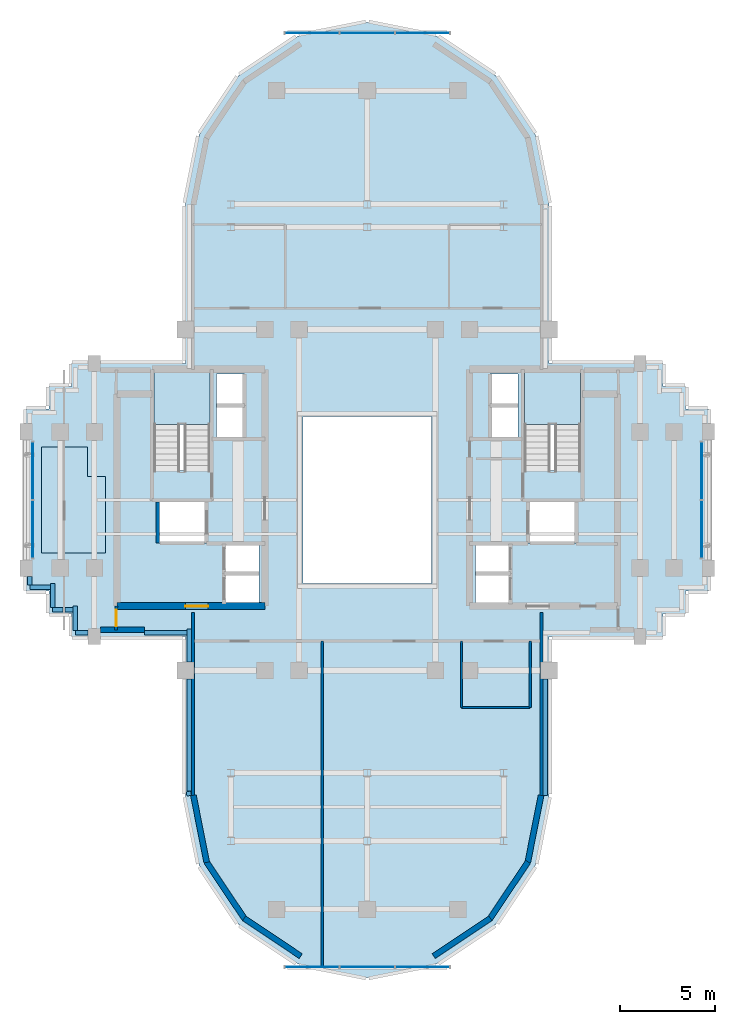
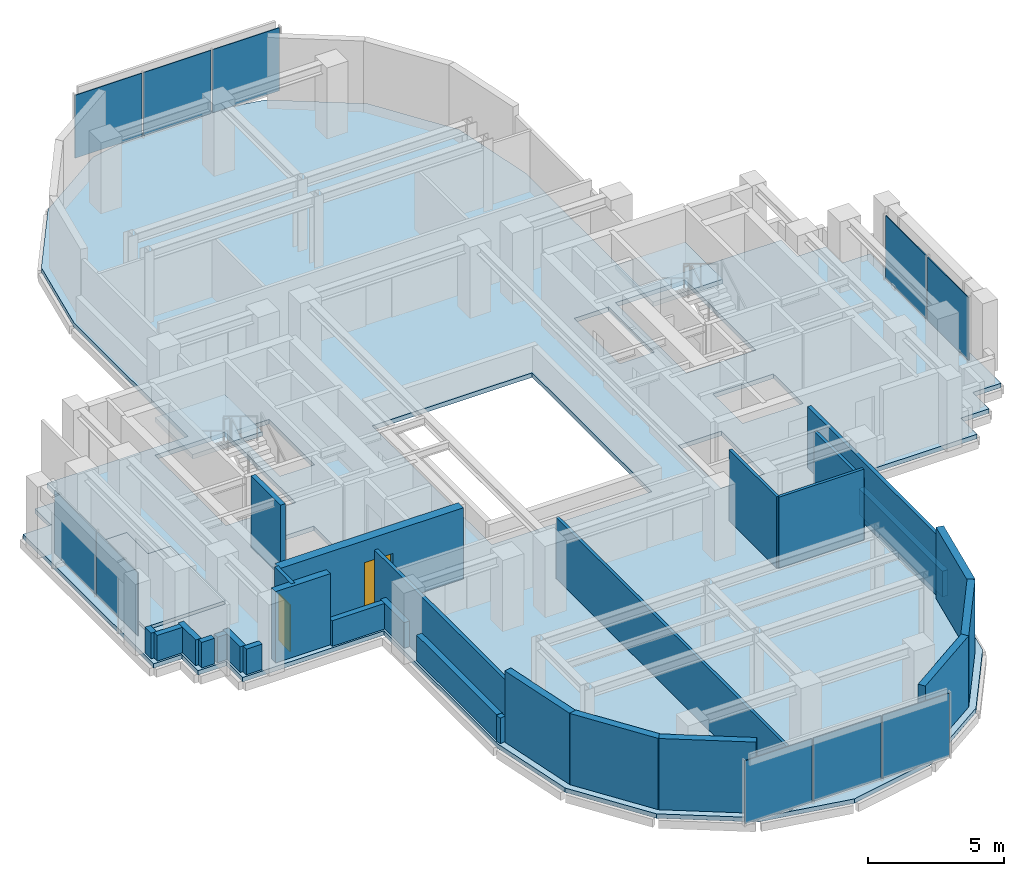
# One storey, part 5 of 11: 28 walls, 10 plates, 4 slabs, 2 doors, 2 openings, 6 elements without a shape of their own.
"""IFC4 building model written with IfcOpenShell, lengths in metres."""

from ifc_helpers import new_model, si_unit, direction, frame, frame_2d, origin, origin_2d, place, context, subcontext, project, spatial, polyline, rectangle, outline, extrude, source, transform, mapped, material, layer, layer_set, type_object, element, fill, aggregate, save


model = new_model("IFC4")

# Units and contexts
model_context = context("Model", 3, precision=1e-05, world=origin(), true_north=direction((0.0, 1.0)))
body_context = subcontext(model_context, "Body", "Model", "MODEL_VIEW")
ifc_project = project(units=[si_unit("LENGTHUNIT", "METRE"), si_unit("AREAUNIT", "SQUARE_METRE"), si_unit("VOLUMEUNIT", "CUBIC_METRE"), si_unit("PLANEANGLEUNIT", "RADIAN"), si_unit("MASSUNIT", "GRAM", prefix="KILO")], contexts=[model_context])

# Site, building, storey
site_placement = place(None, origin())
site = spatial("IfcSite", under=ifc_project, at=site_placement, CompositionType="ELEMENT")
building_placement = place(site_placement, origin())
building = spatial("IfcBuilding", under=site, at=building_placement, Name="Keilestroom Media Tower", CompositionType="ELEMENT")
storey_placement = place(building_placement, frame((0.0, 0.0, 170.60009765625)))
storey = spatial("IfcBuildingStorey", under=building, at=storey_placement, Name="L46", CompositionType="ELEMENT", Elevation=170.60009765625)

# Slabs
ifc_material_1 = material(Name="Concrete C50/60", Category="concrete")
ifc_layer_1 = layer(ifc_material_1, 0.199951171875)
ifc_layer_set_1 = layer_set([ifc_layer_1], Name="Concrete C50/60")
slab_type_1 = type_object("IfcSlabType", Name="Composite-Floor-Slab-200", PredefinedType="FLOOR", material=ifc_layer_set_1)
slab_1_placement = place(storey_placement, frame((0.0, 0.0, -0.2001953125)))
element("IfcSlab", 1, at=slab_1_placement, inside=storey, type_object=slab_type_1, Name="L46 Structural Composite Floor Slab", PredefinedType="FLOOR", context=body_context, shape_type="SweptSolid", body=[
    extrude(outline(polyline([(18.0, -4.800048828125), (18.0, 4.800048828125), (16.800048828125, 4.800048828125), (16.800048828125, 6.0), (15.60009765625, 6.0), (15.60009765625, 7.199951171875), (9.60009765625, 7.199951171875), (9.60009765625, 9.60009765625), (9.60009765625, 15.60009765625), (8.869140625, 19.273681640625), (6.7880859375, 22.38818359375), (3.673828125, 24.46923828125), (0.0, 25.199951171875), (-3.673828125, 24.46923828125), (-6.7880859375, 22.38818359375), (-8.869140625, 19.273681640625), (-9.60009765625, 15.60009765625), (-9.60009765625, 9.60009765625), (-9.60009765625, 7.199951171875), (-15.60009765625, 7.199951171875), (-15.60009765625, 6.0), (-16.800048828125, 6.0), (-16.800048828125, 4.800048828125), (-18.0, 4.800048828125), (-18.0, -4.800048828125), (-16.800048828125, -4.800048828125), (-16.800048828125, -6.0), (-15.60009765625, -6.0), (-15.60009765625, -7.199951171875), (-9.60009765625, -7.199951171875), (-9.60009765625, -9.60009765625), (-9.60009765625, -15.60009765625), (-8.869140625, -19.273681640625), (-6.7880859375, -22.38818359375), (-3.673828125, -24.46923828125), (0.0, -25.199951171875), (3.673828125, -24.46923828125), (6.7880859375, -22.38818359375), (8.869140625, -19.273681640625), (9.60009765625, -15.60009765625), (9.60009765625, -9.60009765625), (9.60009765625, -7.199951171875), (15.60009765625, -7.199951171875), (15.60009765625, -6.0), (16.800048828125, -6.0), (16.800048828125, -4.800048828125), (18.0, -4.800048828125)]), holes=[polyline([(-11.260009765625, 1.544921875), (-11.260009765625, 6.760009765625), (-8.300048828125, 6.760009765625), (-8.300048828125, 1.544921875), (-11.260009765625, 1.544921875)]), polyline([(-11.050048828125, -2.280029296875), (-11.050048828125, -0.10009765625), (-8.47998046875, -0.10009765625), (-8.47998046875, -2.280029296875), (-11.050048828125, -2.280029296875)]), polyline([(-7.949951171875, 3.300048828125), (-7.949951171875, 6.64990234375), (-6.47998046875, 6.64990234375), (-6.47998046875, 3.300048828125), (-7.949951171875, 3.300048828125)]), polyline([(-7.56005859375, -2.320068359375), (-5.719970703125, -2.320068359375), (-5.719970703125, -5.47998046875), (-7.56005859375, -5.47998046875), (-7.56005859375, -2.320068359375)]), polyline([(3.39990234375, -4.39990234375), (-3.39990234375, -4.39990234375), (-3.39990234375, 4.39990234375), (3.39990234375, 4.39990234375), (3.39990234375, -4.39990234375)]), polyline([(7.56005859375, -2.320068359375), (7.56005859375, -5.47998046875), (5.719970703125, -5.47998046875), (5.719970703125, -2.320068359375), (7.56005859375, -2.320068359375)]), polyline([(6.47998046875, 3.300048828125), (6.47998046875, 6.64990234375), (7.949951171875, 6.64990234375), (7.949951171875, 3.300048828125), (6.47998046875, 3.300048828125)]), polyline([(8.300048828125, 1.544921875), (8.300048828125, 6.760009765625), (11.260009765625, 6.760009765625), (11.260009765625, 1.544921875), (8.300048828125, 1.544921875)]), polyline([(8.47998046875, -2.280029296875), (8.47998046875, -0.10009765625), (11.050048828125, -0.10009765625), (11.050048828125, -2.280029296875), (8.47998046875, -2.280029296875)])]), origin(), (0.0, 0.0, 1.0), 0.2001953125),
])
ifc_material_2 = material(Name="Concrete C45/55", Category="concrete")
ifc_layer_2 = layer(ifc_material_2, 0.14990234375)
ifc_layer_set_2 = layer_set([ifc_layer_2], Name="Concrete C45/55")
slab_type_2 = type_object("IfcSlabType", Name="Floating-Studio-Floor-Slab-150", PredefinedType="FLOOR", material=ifc_layer_set_2)
slab_2_placement = place(storey_placement, origin())
element("IfcSlab", 2, at=slab_2_placement, inside=storey, type_object=slab_type_2, Name="L46 Acoustic Floating Studio Slab ST-YTH-Z3", PredefinedType="FLOOR", context=body_context, shape_type="SweptSolid", body=[
    extrude(outline(polyline([(-17.199951171875, -2.800048828125), (-13.800048828125, -2.800048828125), (-13.800048828125, 1.23193359375), (-14.751953125, 1.23193359375), (-14.751953125, 2.800048828125), (-17.199951171875, 2.800048828125), (-17.199951171875, -2.800048828125)])), origin(), (0.0, 0.0, 1.0), 0.14990234375),
])

# Stair, slab
stair_type = type_object("IfcStairType", Name="Enclosed-Dog-Leg-Stair-ST-CORE", PredefinedType="HALF_TURN_STAIR", material=ifc_material_2)
stair_1_placement = place(storey_placement, origin())
stair_1 = element("IfcStair", 3, at=stair_1_placement, inside=storey, type_object=stair_type, Name="L46 West Core Escape Stair ST-1", PredefinedType="HALF_TURN_STAIR")
ifc_layer_3 = layer(ifc_material_2, 0.199951171875)
ifc_layer_set_3 = layer_set([ifc_layer_3], Name="Concrete C45/55")
slab_type_3 = type_object("IfcSlabType", Name="Stair-Intermediate-And-Top-Landing-Slab-200", PredefinedType="LANDING", material=ifc_layer_set_3)
slab_3_placement = place(storey_placement, frame((0.0, 0.0, 1.5)))
slab_3 = element("IfcSlab", 4, at=slab_3_placement, type_object=slab_type_3, Name="ST-1 landing 1", PredefinedType="LANDING", context=body_context, shape_type="SweptSolid", body=[
    extrude(outline(polyline([(-8.300048828125, 3.99609375), (-8.300048828125, 6.760009765625), (-11.260009765625, 6.760009765625), (-11.260009765625, 3.99609375), (-8.300048828125, 3.99609375)])), origin(), (0.0, 0.0, 1.0), 0.199951171875),
])
aggregate(stair_1, [slab_3])

stair_2_placement = place(storey_placement, origin())
stair_2 = element("IfcStair", 5, at=stair_2_placement, inside=storey, type_object=stair_type, Name="L46 East Core Escape Stair ST-2", PredefinedType="HALF_TURN_STAIR")
slab_4_placement = place(storey_placement, frame((0.0, 0.0, 1.5)))
slab_4 = element("IfcSlab", 6, at=slab_4_placement, type_object=slab_type_3, Name="ST-2 landing 1", PredefinedType="LANDING", context=body_context, shape_type="SweptSolid", body=[
    extrude(outline(polyline([(11.260009765625, 3.99609375), (11.260009765625, 6.760009765625), (8.300048828125, 6.760009765625), (8.300048828125, 3.99609375), (11.260009765625, 3.99609375)])), origin(), (0.0, 0.0, 1.0), 0.199951171875),
])
aggregate(stair_2, [slab_4])

# Curtain wall, plates
ifc_material_3 = material(Name="Anodised Aluminium Alloy", Category="aluminium")
curtain_wall_type_1 = type_object("IfcCurtainWallType", Name="Unitised-Curtain-Wall-CW-6", PredefinedType="NOTDEFINED", material=ifc_material_3)
curtain_wall_1_placement = place(storey_placement, origin())
curtain_wall_1 = element("IfcCurtainWall", 7, at=curtain_wall_1_placement, inside=storey, type_object=curtain_wall_type_1, Name="L46 Curtain Wall CW-6 CW-L46-LN-1", PredefinedType="NOTDEFINED")
ifc_material_4 = material(Name="Curved-Facet Triple Glazed Unit", Category="glass")
ifc_layer_4 = layer(ifc_material_4, 0.033935546875)
ifc_layer_set_4 = layer_set([ifc_layer_4], Name="Curved-Facet Triple Glazed Unit")
plate_type_1 = type_object("IfcPlateType", Name="Insulated-Curtain-Wall-Glazing-Panel-CW-6", PredefinedType="CURTAIN_PANEL", material=ifc_layer_set_4)
shared_shape_1 = source(origin(), body_context, "Body", "SweptSolid", [
    extrude(rectangle(XDim=2.84375, YDim=0.033935546875, at=origin_2d()), origin(), (0.0, 0.0, 1.0), 2.833984375),
])
plate_1_placement = place(storey_placement, frame((-2.9169921875, 24.64990234375, 0.072998046875), z_axis=(0.0, 0.0, 1.0), x_axis=(1.0, 0.0, 0.0)))
plate_1 = element("IfcPlate", 8, at=plate_1_placement, type_object=plate_type_1, Name="CW-6 Unitised Glazing 00", PredefinedType="CURTAIN_PANEL", context=body_context, shape_type="MappedRepresentation", body=[
    mapped(shared_shape_1, transform((0.0, 0.0, 0.0), x_axis=(1.0, 0.0, 0.0), y_axis=(0.0, 1.0, 0.0), z_axis=(0.0, 0.0, 1.0), scale=1.0)),
])
plate_2_placement = place(storey_placement, frame((2.9169921875, 24.64990234375, 0.072998046875), z_axis=(0.0, 0.0, 1.0), x_axis=(1.0, 0.0, 0.0)))
plate_2 = element("IfcPlate", 9, at=plate_2_placement, type_object=plate_type_1, Name="CW-6 Unitised Glazing 02", PredefinedType="CURTAIN_PANEL", context=body_context, shape_type="MappedRepresentation", body=[
    mapped(shared_shape_1, transform((0.0, 0.0, 0.0), x_axis=(1.0, 0.0, 0.0), y_axis=(0.0, 1.0, 0.0), z_axis=(0.0, 0.0, 1.0), scale=1.0)),
])

curtain_wall_2_placement = place(storey_placement, origin())
curtain_wall_2 = element("IfcCurtainWall", 10, at=curtain_wall_2_placement, inside=storey, type_object=curtain_wall_type_1, Name="L46 Curtain Wall CW-6 CW-L46-LS-1", PredefinedType="NOTDEFINED")
plate_3_placement = place(storey_placement, frame((-2.9169921875, -24.64990234375, 0.072998046875), z_axis=(0.0, 0.0, 1.0), x_axis=(1.0, 0.0, 0.0)))
plate_3 = element("IfcPlate", 11, at=plate_3_placement, type_object=plate_type_1, Name="CW-6 Unitised Glazing 00", PredefinedType="CURTAIN_PANEL", context=body_context, shape_type="MappedRepresentation", body=[
    mapped(shared_shape_1, transform((0.0, 0.0, 0.0), x_axis=(1.0, 0.0, 0.0), y_axis=(0.0, 1.0, 0.0), z_axis=(0.0, 0.0, 1.0), scale=1.0)),
])
plate_4_placement = place(storey_placement, frame((2.9169921875, -24.64990234375, 0.072998046875), z_axis=(0.0, 0.0, 1.0), x_axis=(1.0, 0.0, 0.0)))
plate_4 = element("IfcPlate", 12, at=plate_4_placement, type_object=plate_type_1, Name="CW-6 Unitised Glazing 02", PredefinedType="CURTAIN_PANEL", context=body_context, shape_type="MappedRepresentation", body=[
    mapped(shared_shape_1, transform((0.0, 0.0, 0.0), x_axis=(1.0, 0.0, 0.0), y_axis=(0.0, 1.0, 0.0), z_axis=(0.0, 0.0, 1.0), scale=1.0)),
])

# Plate
shared_shape_2 = source(origin(), body_context, "Body", "SweptSolid", [
    extrude(rectangle(XDim=2.876220703125, YDim=0.033935546875, at=origin_2d()), origin(), (0.0, 0.0, 1.0), 2.833984375),
])
plate_5_placement = place(storey_placement, frame((0.0, 24.64990234375, 0.072998046875), z_axis=(0.0, 0.0, 1.0), x_axis=(1.0, 0.0, 0.0)))
plate_5 = element("IfcPlate", 13, at=plate_5_placement, type_object=plate_type_1, Name="CW-6 Unitised Glazing 01", PredefinedType="CURTAIN_PANEL", context=body_context, shape_type="MappedRepresentation", body=[
    mapped(shared_shape_2, transform((0.0, 0.0, 0.0), x_axis=(1.0, 0.0, 0.0), y_axis=(0.0, 1.0, 0.0), z_axis=(0.0, 0.0, 1.0), scale=1.0)),
])

aggregate(curtain_wall_1, [plate_1, plate_5, plate_2])

plate_6_placement = place(storey_placement, frame((0.0, -24.64990234375, 0.072998046875), z_axis=(0.0, 0.0, 1.0), x_axis=(1.0, 0.0, 0.0)))
plate_6 = element("IfcPlate", 14, at=plate_6_placement, type_object=plate_type_1, Name="CW-6 Unitised Glazing 01", PredefinedType="CURTAIN_PANEL", context=body_context, shape_type="MappedRepresentation", body=[
    mapped(shared_shape_2, transform((0.0, 0.0, 0.0), x_axis=(1.0, 0.0, 0.0), y_axis=(0.0, 1.0, 0.0), z_axis=(0.0, 0.0, 1.0), scale=1.0)),
])

aggregate(curtain_wall_2, [plate_3, plate_6, plate_4])

# Curtain wall, plates
curtain_wall_type_2 = type_object("IfcCurtainWallType", Name="Unitised-Curtain-Wall-CW-3", PredefinedType="NOTDEFINED", material=ifc_material_3)
curtain_wall_3_placement = place(storey_placement, origin())
curtain_wall_3 = element("IfcCurtainWall", 15, at=curtain_wall_3_placement, inside=storey, type_object=curtain_wall_type_2, Name="L46 Curtain Wall CW-3 CW-L46-W-1", PredefinedType="NOTDEFINED")
ifc_material_5 = material(Name="Triple Glazed Acoustic Low-E Unit", Category="glass")
ifc_layer_5 = layer(ifc_material_5, 0.0380859375)
ifc_layer_set_5 = layer_set([ifc_layer_5], Name="Triple Glazed Acoustic Low-E Unit")
plate_type_2 = type_object("IfcPlateType", Name="Insulated-Curtain-Wall-Glazing-Panel-CW-3", PredefinedType="CURTAIN_PANEL", material=ifc_layer_set_5)
shared_shape_3 = source(origin(), body_context, "Body", "SweptSolid", [
    extrude(rectangle(XDim=3.025390625, YDim=0.0380859375, at=origin_2d()), origin(), (0.0, 0.0, 1.0), 2.833984375),
])
plate_7_placement = place(storey_placement, frame((-17.64990234375, -1.541259765625, 0.072998046875), z_axis=(0.0, 0.0, 1.0), x_axis=(0.0, 1.0, 0.0)))
plate_7 = element("IfcPlate", 16, at=plate_7_placement, type_object=plate_type_2, Name="CW-3 Unitised Glazing 00", PredefinedType="CURTAIN_PANEL", context=body_context, shape_type="MappedRepresentation", body=[
    mapped(shared_shape_3, transform((0.0, 0.0, 0.0), x_axis=(1.0, 0.0, 0.0), y_axis=(0.0, 1.0, 0.0), z_axis=(0.0, 0.0, 1.0), scale=1.0)),
])
plate_8_placement = place(storey_placement, frame((-17.64990234375, 1.541259765625, 0.072998046875), z_axis=(0.0, 0.0, 1.0), x_axis=(0.0, 1.0, 0.0)))
plate_8 = element("IfcPlate", 17, at=plate_8_placement, type_object=plate_type_2, Name="CW-3 Unitised Glazing 01", PredefinedType="CURTAIN_PANEL", context=body_context, shape_type="MappedRepresentation", body=[
    mapped(shared_shape_3, transform((0.0, 0.0, 0.0), x_axis=(1.0, 0.0, 0.0), y_axis=(0.0, 1.0, 0.0), z_axis=(0.0, 0.0, 1.0), scale=1.0)),
])
aggregate(curtain_wall_3, [plate_7, plate_8])

curtain_wall_4_placement = place(storey_placement, origin())
curtain_wall_4 = element("IfcCurtainWall", 18, at=curtain_wall_4_placement, inside=storey, type_object=curtain_wall_type_2, Name="L46 Curtain Wall CW-3 CW-L46-E-1", PredefinedType="NOTDEFINED")
plate_9_placement = place(storey_placement, frame((17.64990234375, -1.541259765625, 0.072998046875), z_axis=(0.0, 0.0, 1.0), x_axis=(0.0, 1.0, 0.0)))
plate_9 = element("IfcPlate", 19, at=plate_9_placement, type_object=plate_type_2, Name="CW-3 Unitised Glazing 00", PredefinedType="CURTAIN_PANEL", context=body_context, shape_type="MappedRepresentation", body=[
    mapped(shared_shape_3, transform((0.0, 0.0, 0.0), x_axis=(1.0, 0.0, 0.0), y_axis=(0.0, 1.0, 0.0), z_axis=(0.0, 0.0, 1.0), scale=1.0)),
])
plate_10_placement = place(storey_placement, frame((17.64990234375, 1.541259765625, 0.072998046875), z_axis=(0.0, 0.0, 1.0), x_axis=(0.0, 1.0, 0.0)))
plate_10 = element("IfcPlate", 20, at=plate_10_placement, type_object=plate_type_2, Name="CW-3 Unitised Glazing 01", PredefinedType="CURTAIN_PANEL", context=body_context, shape_type="MappedRepresentation", body=[
    mapped(shared_shape_3, transform((0.0, 0.0, 0.0), x_axis=(1.0, 0.0, 0.0), y_axis=(0.0, 1.0, 0.0), z_axis=(0.0, 0.0, 1.0), scale=1.0)),
])
aggregate(curtain_wall_4, [plate_9, plate_10])

# Walls
ifc_material_6 = material(Name="Precast concrete C40/50", Category="concrete")
ifc_layer_6 = layer(ifc_material_6, 0.300048828125)
ifc_layer_set_6 = layer_set([ifc_layer_6], Name="Precast concrete C40/50")
wall_type_1 = type_object("IfcWallType", Name="Exterior-Masonry-Spandrel-Wall-300", PredefinedType="SOLIDWALL", material=ifc_layer_set_6)
wall_1_placement = place(storey_placement, frame((-14.0830078125, -6.85009765625, 0.0), z_axis=(0.0, 0.0, 1.0), x_axis=(1.0, 0.0, 0.0)))
element("IfcWall", 21, at=wall_1_placement, inside=storey, type_object=wall_type_1, Name="L46 Flank Masonry Wall EWL-L46-SW-1", PredefinedType="SOLIDWALL", context=body_context, shape_type="SweptSolid", body=[
    extrude(rectangle(XDim=2.3330078125, YDim=0.300048828125, at=frame_2d((1.16650390625, 0.0))), origin(), (0.0, 0.0, 1.0), 3.199951171875),
])
for number, where, z_axis, x_axis, name in (
    (22, (-9.1748046875, -15.585205078125, 0.0), (0.0, 0.0, 1.0), (0.195114232679, -0.980780523974, 0.0), "L46 Lobe Facet Precast Frame Wall 07"),
    (23, (-8.48193359375, -19.097412109375, 0.0), (0.0, 0.0, 1.0), (0.555574187116, -0.831466970246, 0.0), "L46 Lobe Facet Precast Frame Wall 08"),
):
    element("IfcWall", number, at=place(storey_placement, frame(where, z_axis=z_axis, x_axis=x_axis)), inside=storey, type_object=wall_type_1, Name=name, PredefinedType="SOLIDWALL", context=body_context, shape_type="SweptSolid", body=[
        extrude(rectangle(XDim=3.608642578125, YDim=0.300048828125, at=frame_2d((1.80419921875, 0.0))), origin(), (0.0, 0.0, 1.0), 3.199951171875),
    ])
for number, where, z_axis, x_axis, name in (
    (24, (-6.497802734375, -22.0771484375, 0.0), (0.0, 0.0, 1.0), (0.8314749531, -0.555562239868, 0.0), "L46 Lobe Facet Precast Frame Wall 09"),
    (25, (3.510009765625, -24.073486328125, 0.0), (0.0, 0.0, 1.0), (0.8314749531, 0.555562239868, 0.0), "L46 Lobe Facet Precast Frame Wall 10"),
):
    element("IfcWall", number, at=place(storey_placement, frame(where, z_axis=z_axis, x_axis=x_axis)), inside=storey, type_object=wall_type_1, Name=name, PredefinedType="SOLIDWALL", context=body_context, shape_type="SweptSolid", body=[
        extrude(rectangle(XDim=3.59326171875, YDim=0.300048828125, at=frame_2d((1.796630859375, 0.0))), origin(), (0.0, 0.0, 1.0), 3.199951171875),
    ])
for number, where, z_axis, x_axis, name in (
    (26, (6.47705078125, -22.097900390625, 0.0), (0.0, 0.0, 1.0), (0.555574187116, 0.831466970246, 0.0), "L46 Lobe Facet Precast Frame Wall 11"),
    (27, (8.470703125, -19.12451171875, 0.0), (0.0, 0.0, 1.0), (0.195114232679, 0.980780523974, 0.0), "L46 Lobe Facet Precast Frame Wall 12"),
):
    element("IfcWall", number, at=place(storey_placement, frame(where, z_axis=z_axis, x_axis=x_axis)), inside=storey, type_object=wall_type_1, Name=name, PredefinedType="SOLIDWALL", context=body_context, shape_type="SweptSolid", body=[
        extrude(rectangle(XDim=3.608642578125, YDim=0.300048828125, at=frame_2d((1.80419921875, 0.0))), origin(), (0.0, 0.0, 1.0), 3.199951171875),
    ])
ifc_material_7 = material(Name="Gypsum Plasterboard & Steel Stud", Category="steel")
ifc_layer_7 = layer(ifc_material_7, 0.1201171875)
ifc_layer_set_7 = layer_set([ifc_layer_7], Name="Gypsum Plasterboard & Steel Stud")
wall_type_2 = type_object("IfcWallType", Name="Interior-Partition-Wall-120", PredefinedType="PARTITIONING", material=ifc_layer_set_7)
wall_2_placement = place(storey_placement, frame((4.97998046875, -10.949951171875, 0.0), z_axis=(0.0, 0.0, 1.0), x_axis=(1.0, 0.0, 0.0)))
element("IfcWall", 28, at=wall_2_placement, inside=storey, type_object=wall_type_2, Name="L46 Interior Wall WP-L46-SL-WC1-S", PredefinedType="PARTITIONING", context=body_context, shape_type="SweptSolid", body=[
    extrude(rectangle(XDim=3.6201171875, YDim=0.1201171875, at=frame_2d((1.81005859375, 0.0))), origin(), (0.0, 0.0, 1.0), 3.199951171875),
])
wall_3_placement = place(storey_placement, frame((4.97998046875, -10.949951171875, 0.0), z_axis=(0.0, 0.0, 1.0), x_axis=(0.0, 1.0, 0.0)))
element("IfcWall", 29, at=wall_3_placement, inside=storey, type_object=wall_type_2, Name="L46 Interior Wall WP-L46-SL-WC1-W", PredefinedType="PARTITIONING", context=body_context, shape_type="SweptSolid", body=[
    extrude(rectangle(XDim=3.5, YDim=0.1201171875, at=frame_2d((1.75, 0.0))), origin(), (0.0, 0.0, 1.0), 3.199951171875),
])
wall_4_placement = place(storey_placement, frame((8.60009765625, -10.949951171875, 0.0), z_axis=(0.0, 0.0, 1.0), x_axis=(0.0, 1.0, 0.0)))
element("IfcWall", 30, at=wall_4_placement, inside=storey, type_object=wall_type_2, Name="L46 Interior Wall WP-L46-SL-WC1-E", PredefinedType="PARTITIONING", context=body_context, shape_type="SweptSolid", body=[
    extrude(rectangle(XDim=3.5, YDim=0.1201171875, at=frame_2d((1.75, 0.0))), origin(), (0.0, 0.0, 1.0), 2.75),
])
wall_5_placement = place(storey_placement, frame((-2.3798828125, -24.64990234375, 0.0), z_axis=(0.0, 0.0, 1.0), x_axis=(0.0, 1.0, 0.0)))
element("IfcWall", 31, at=wall_5_placement, inside=storey, type_object=wall_type_2, Name="L46 Interior Wall WP-L46-SL-VS", PredefinedType="PARTITIONING", context=body_context, shape_type="SweptSolid", body=[
    extrude(rectangle(XDim=17.199951171875, YDim=0.1201171875, at=frame_2d((8.60009765625, 0.0))), origin(), (0.0, 0.0, 1.0), 2.75),
])
ifc_layer_8 = layer(ifc_material_7, 0.14990234375)
ifc_layer_set_8 = layer_set([ifc_layer_8], Name="Gypsum Plasterboard & Steel Stud")
wall_type_3 = type_object("IfcWallType", Name="Interior-Partition-Wall-150", PredefinedType="PARTITIONING", material=ifc_layer_set_8)
for number, where, z_axis, x_axis, name in (
    (32, (-9.199951171875, -15.679931640625, 0.0), (0.0, 0.0, 1.0), (0.0, 1.0, 0.0), "L46 Interior Wall WP-L46-SL-CHKW"),
    (33, (9.199951171875, -15.679931640625, 0.0), (0.0, 0.0, 1.0), (0.0, 1.0, 0.0), "L46 Interior Wall WP-L46-SL-CHKE"),
):
    element("IfcWall", number, at=place(storey_placement, frame(where, z_axis=z_axis, x_axis=x_axis)), inside=storey, type_object=wall_type_3, Name=name, PredefinedType="PARTITIONING", context=body_context, shape_type="SweptSolid", body=[
        extrude(rectangle(XDim=9.739990234375, YDim=0.14990234375, at=frame_2d((4.8701171875, 0.0))), origin(), (0.0, 0.0, 1.0), 2.75),
    ])

# Wall, opening, door
wall_6_placement = place(storey_placement, frame((-13.260009765625, -6.85009765625, 0.0), z_axis=(0.0, 0.0, 1.0), x_axis=(0.016013571389, 0.999871774545, 0.0)))
wall_6 = element("IfcWall", 34, at=wall_6_placement, inside=storey, type_object=wall_type_3, Name="L46 Interior Wall WP-L46-WA-ENTS", PredefinedType="PARTITIONING", context=body_context, shape_type="SweptSolid", body=[
    extrude(rectangle(XDim=1.250244140625, YDim=0.14990234375, at=frame_2d((0.625, 0.0))), origin(), (0.0, 0.0, 1.0), 3.199951171875),
])
opening_1_placement = place(wall_6_placement, frame((0.199951171875, 0.0, 0.0)))
opening_1 = element("IfcOpeningElement", 35, at=opening_1_placement, cuts=wall_6, Name="Opening DI-05", PredefinedType="OPENING", context=body_context, shape_type="SweptSolid", body=[
    extrude(rectangle(XDim=0.85009765625, YDim=2.10009765625, at=frame_2d((0.425048828125, 1.050048828125))), frame((0.0, 0.0849609375, 0.0), z_axis=(0.0, -1.0, 0.0), x_axis=(1.0, 0.0, 0.0)), (0.0, 0.0, 1.0), 0.169921875),
])
ifc_material_8 = material(Name="Moisture-Resistant Oak Leaf", Category="wood")
door_type_1 = type_object("IfcDoorType", Name="Interior-En-Suite-And-Cupboard-Door-DI-05", OperationType="NOTDEFINED", PredefinedType="DOOR", material=ifc_material_8)
shared_shape_4 = source(origin(), body_context, "Body", "SweptSolid", [
    extrude(rectangle(XDim=0.85009765625, YDim=2.10009765625, at=frame_2d((0.425048828125, 1.050048828125))), frame((0.0, 0.02490234375, 0.0), z_axis=(0.0, -1.0, 0.0), x_axis=(1.0, 0.0, 0.0)), (0.0, 0.0, 1.0), 0.050048828125),
])
door_1_placement = place(opening_1_placement, origin())
door_1 = element("IfcDoor", 36, at=door_1_placement, inside=storey, type_object=door_type_1, Name="L46 Interior Door DI-L46-DWA-E", OperationType="SINGLE_SWING_LEFT", OverallHeight=2.10009765625, OverallWidth=0.85009765625, PredefinedType="DOOR", context=body_context, shape_type="MappedRepresentation", body=[
    mapped(shared_shape_4, transform((0.0, 0.0, 0.0), x_axis=(1.0, 0.0, 0.0), y_axis=(0.0, 1.0, 0.0), z_axis=(0.0, 0.0, 1.0), scale=1.0)),
])
fill(opening_1, door_1)

ifc_material_9 = material(Name="Concrete C55/67", Category="concrete")
ifc_layer_9 = layer(ifc_material_9, 0.3798828125)
ifc_layer_set_9 = layer_set([ifc_layer_9], Name="Concrete C55/67")
wall_type_4 = type_object("IfcWallType", Name="Reinforced-Concrete-Core-Shear-Wall-380", PredefinedType="SHEAR", material=ifc_layer_set_9)
wall_7_placement = place(storey_placement, frame((-13.199951171875, -5.60009765625, 0.0), z_axis=(0.0, 0.0, 1.0), x_axis=(1.0, 0.0, 0.0)))
wall_7 = element("IfcWall", 37, at=wall_7_placement, inside=storey, type_object=wall_type_4, Name="L46 Core Shear Wall WL-L46-CORE-W-S", PredefinedType="SHEAR", context=body_context, shape_type="SweptSolid", body=[
    extrude(rectangle(XDim=7.800048828125, YDim=0.3798828125, at=frame_2d((3.89990234375, 0.0))), origin(), (0.0, 0.0, 1.0), 3.199951171875),
])
opening_2_placement = place(wall_7_placement, frame((3.60009765625, 0.0, 0.0)))
opening_2 = element("IfcOpeningElement", 38, at=opening_2_placement, cuts=wall_7, Name="Opening DI-02", PredefinedType="OPENING", context=body_context, shape_type="SweptSolid", body=[
    extrude(rectangle(XDim=1.199951171875, YDim=2.199951171875, at=frame_2d((0.60009765625, 1.10009765625))), frame((0.0, 0.199951171875, 0.0), z_axis=(0.0, -1.0, 0.0), x_axis=(1.0, 0.0, 0.0)), (0.0, 0.0, 1.0), 0.39990234375),
])
ifc_material_10 = material(Name="Powder-Coated Steel Fire Leaf", Category="steel")
door_type_2 = type_object("IfcDoorType", Name="Interior-Compartment-Fire-Door-DI-02", OperationType="NOTDEFINED", PredefinedType="DOOR", material=ifc_material_10)
shared_shape_5 = source(origin(), body_context, "Body", "SweptSolid", [
    extrude(rectangle(XDim=1.199951171875, YDim=2.199951171875, at=frame_2d((0.60009765625, 1.10009765625))), frame((0.0, 0.02490234375, 0.0), z_axis=(0.0, -1.0, 0.0), x_axis=(1.0, 0.0, 0.0)), (0.0, 0.0, 1.0), 0.050048828125),
])
door_2_placement = place(opening_2_placement, origin())
door_2 = element("IfcDoor", 39, at=door_2_placement, inside=storey, type_object=door_type_2, Name="L46 W Passenger Lift Lobby Door", OperationType="SINGLE_SWING_LEFT", OverallHeight=2.199951171875, OverallWidth=1.199951171875, PredefinedType="DOOR", context=body_context, shape_type="MappedRepresentation", body=[
    mapped(shared_shape_5, transform((0.0, 0.0, 0.0), x_axis=(1.0, 0.0, 0.0), y_axis=(0.0, 1.0, 0.0), z_axis=(0.0, 0.0, 1.0), scale=1.0)),
])
fill(opening_2, door_2)

# Walls
ifc_layer_10 = layer(ifc_material_1, 0.199951171875)
ifc_layer_set_10 = layer_set([ifc_layer_10], Name="Concrete C50/60")
wall_type_5 = type_object("IfcWallType", Name="Reinforced-Concrete-Shaft-Wall-200", PredefinedType="SOLIDWALL", material=ifc_layer_set_10)
wall_8_placement = place(storey_placement, frame((-11.050048828125, -2.280029296875, 0.0), z_axis=(0.0, 0.0, 1.0), x_axis=(0.0, 1.0, 0.0)))
element("IfcWall", 40, at=wall_8_placement, inside=storey, type_object=wall_type_5, Name="L46 Core Shear Wall WL-L46-LSH-FFL-1-W", PredefinedType="SOLIDWALL", context=body_context, shape_type="SweptSolid", body=[
    extrude(rectangle(XDim=2.179931640625, YDim=0.199951171875, at=frame_2d((1.08984375, 0.0))), origin(), (0.0, 0.0, 1.0), 3.199951171875),
])
ifc_layer_11 = layer(ifc_material_6, 0.239990234375)
ifc_layer_set_11 = layer_set([ifc_layer_11], Name="Precast concrete C40/50")
wall_type_6 = type_object("IfcWallType", Name="Roof-And-Terrace-Parapet-Wall-240", PredefinedType="PARAPET", material=ifc_layer_set_11)
wall_9_placement = place(storey_placement, frame((9.39990234375, -9.452880859375, 0.0), z_axis=(0.0, 0.0, 1.0), x_axis=(0.0, -1.0, 0.0)))
element("IfcWall", 41, at=wall_9_placement, inside=storey, type_object=wall_type_6, Name="L46 Perimeter Edge Parapet Wall 08", PredefinedType="PARAPET", context=body_context, shape_type="SweptSolid", body=[
    extrude(rectangle(XDim=6.14990234375, YDim=0.239990234375, at=frame_2d((3.074951171875, 0.0))), origin(), (0.0, 0.0, 1.0), 1.14990234375),
])
wall_10_placement = place(storey_placement, frame((-9.395263671875, -15.604248046875, 0.0), z_axis=(0.0, 0.0, 1.0), x_axis=(-0.194652052864, 0.980872355771, 0.0)))
element("IfcWall", 42, at=wall_10_placement, inside=storey, type_object=wall_type_6, Name="L46 Perimeter Edge Parapet Wall 09", PredefinedType="PARAPET", context=body_context, shape_type="SweptSolid", body=[
    extrude(rectangle(XDim=0.224609375, YDim=0.239990234375, at=frame_2d((0.1123046875, 0.0))), origin(), (0.0, 0.0, 1.0), 1.14990234375),
])
wall_11_placement = place(storey_placement, frame((-9.39990234375, -15.357666015625, 0.0), z_axis=(0.0, 0.0, 1.0), x_axis=(0.0, 1.0, 0.0)))
element("IfcWall", 43, at=wall_11_placement, inside=storey, type_object=wall_type_6, Name="L46 Perimeter Edge Parapet Wall 10", PredefinedType="PARAPET", context=body_context, shape_type="SweptSolid", body=[
    extrude(rectangle(XDim=5.90478515625, YDim=0.239990234375, at=frame_2d((2.952392578125, 0.0))), origin(), (0.0, 0.0, 1.0), 1.14990234375),
])
wall_12_placement = place(storey_placement, frame((-9.39990234375, -8.547119140625, 0.0), z_axis=(0.0, 0.0, 1.0), x_axis=(0.0, 1.0, 0.0)))
element("IfcWall", 44, at=wall_12_placement, inside=storey, type_object=wall_type_6, Name="L46 Perimeter Edge Parapet Wall 11", PredefinedType="PARAPET", context=body_context, shape_type="SweptSolid", body=[
    extrude(rectangle(XDim=1.7470703125, YDim=0.239990234375, at=frame_2d((0.87353515625, 0.0))), origin(), (0.0, 0.0, 1.0), 1.14990234375),
])
wall_13_placement = place(storey_placement, frame((-9.52294921875, -7.0, 0.0), z_axis=(0.0, 0.0, 1.0), x_axis=(-1.0, 0.0, 0.0)))
element("IfcWall", 45, at=wall_13_placement, inside=storey, type_object=wall_type_6, Name="L46 Perimeter Edge Parapet Wall 12", PredefinedType="PARAPET", context=body_context, shape_type="SweptSolid", body=[
    extrude(rectangle(XDim=2.22412109375, YDim=0.239990234375, at=frame_2d((1.112060546875, 0.0))), origin(), (0.0, 0.0, 1.0), 1.14990234375),
])
wall_14_placement = place(storey_placement, frame((-14.72802734375, -7.0, 0.0), z_axis=(0.0, 0.0, 1.0), x_axis=(-1.0, 0.0, 0.0)))
element("IfcWall", 46, at=wall_14_placement, inside=storey, type_object=wall_type_6, Name="L46 Perimeter Edge Parapet Wall 13", PredefinedType="PARAPET", context=body_context, shape_type="SweptSolid", body=[
    extrude(rectangle(XDim=0.671875, YDim=0.239990234375, at=frame_2d((0.3359375, 0.0))), origin(), (0.0, 0.0, 1.0), 1.14990234375),
])
wall_15_placement = place(storey_placement, frame((-15.39990234375, -6.876953125, 0.0), z_axis=(0.0, 0.0, 1.0), x_axis=(0.0, 1.0, 0.0)))
element("IfcWall", 47, at=wall_15_placement, inside=storey, type_object=wall_type_6, Name="L46 Perimeter Edge Parapet Wall 14", PredefinedType="PARAPET", context=body_context, shape_type="SweptSolid", body=[
    extrude(rectangle(XDim=1.27685546875, YDim=0.239990234375, at=frame_2d((0.638427734375, 0.0))), origin(), (0.0, 0.0, 1.0), 1.14990234375),
])
wall_16_placement = place(storey_placement, frame((-15.52294921875, -5.800048828125, 0.0), z_axis=(0.0, 0.0, 1.0), x_axis=(-1.0, 0.0, 0.0)))
element("IfcWall", 48, at=wall_16_placement, inside=storey, type_object=wall_type_6, Name="L46 Perimeter Edge Parapet Wall 15", PredefinedType="PARAPET", context=body_context, shape_type="SweptSolid", body=[
    extrude(rectangle(XDim=0.4140625, YDim=0.239990234375, at=frame_2d((0.20703125, 0.0))), origin(), (0.0, 0.0, 1.0), 1.14990234375),
])
wall_17_placement = place(storey_placement, frame((-16.06298828125, -5.800048828125, 0.0), z_axis=(0.0, 0.0, 1.0), x_axis=(-1.0, 0.0, 0.0)))
element("IfcWall", 49, at=wall_17_placement, inside=storey, type_object=wall_type_6, Name="L46 Perimeter Edge Parapet Wall 16", PredefinedType="PARAPET", context=body_context, shape_type="SweptSolid", body=[
    extrude(rectangle(XDim=0.537109375, YDim=0.239990234375, at=frame_2d((0.2685546875, 0.0))), origin(), (0.0, 0.0, 1.0), 1.14990234375),
])
wall_18_placement = place(storey_placement, frame((-16.60009765625, -5.677001953125, 0.0), z_axis=(0.0, 0.0, 1.0), x_axis=(0.0, 1.0, 0.0)))
element("IfcWall", 50, at=wall_18_placement, inside=storey, type_object=wall_type_6, Name="L46 Perimeter Edge Parapet Wall 17", PredefinedType="PARAPET", context=body_context, shape_type="SweptSolid", body=[
    extrude(rectangle(XDim=1.277099609375, YDim=0.239990234375, at=frame_2d((0.638671875, 0.0))), origin(), (0.0, 0.0, 1.0), 1.14990234375),
])
wall_19_placement = place(storey_placement, frame((-16.722900390625, -4.60009765625, 0.0), z_axis=(0.0, 0.0, 1.0), x_axis=(-1.0, 0.0, 0.0)))
element("IfcWall", 51, at=wall_19_placement, inside=storey, type_object=wall_type_6, Name="L46 Perimeter Edge Parapet Wall 18", PredefinedType="PARAPET", context=body_context, shape_type="SweptSolid", body=[
    extrude(rectangle(XDim=1.0771484375, YDim=0.239990234375, at=frame_2d((0.53857421875, 0.0))), origin(), (0.0, 0.0, 1.0), 1.14990234375),
])
wall_20_placement = place(storey_placement, frame((-17.800048828125, -4.47705078125, 0.0), z_axis=(0.0, 0.0, 1.0), x_axis=(0.0, 1.0, 0.0)))
element("IfcWall", 52, at=wall_20_placement, inside=storey, type_object=wall_type_6, Name="L46 Perimeter Edge Parapet Wall 19", PredefinedType="PARAPET", context=body_context, shape_type="SweptSolid", body=[
    extrude(rectangle(XDim=0.448974609375, YDim=0.239990234375, at=frame_2d((0.224609375, 0.0))), origin(), (0.0, 0.0, 1.0), 1.14990234375),
])

save(model, "model.ifc")
